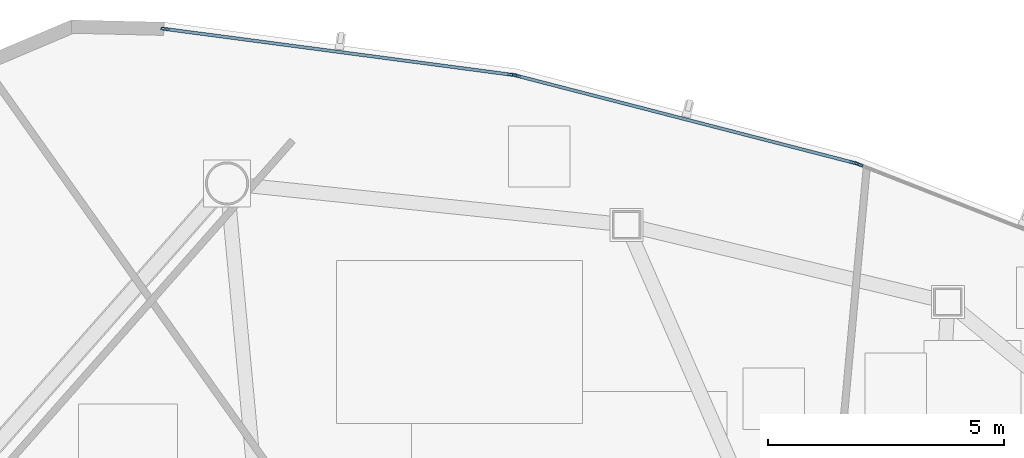
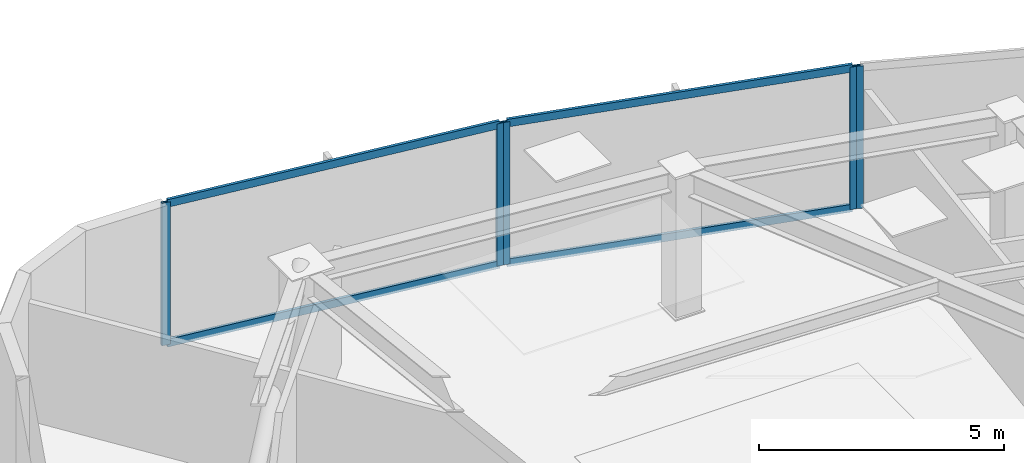
# One storey, part 9 of 18: 9 members, 3 elements without a shape of their own.
"""IFC4 building model written with IfcOpenShell, lengths in metres."""

from ifc_helpers import new_model, si_unit, direction, frame, origin, origin_2d, place, context, subcontext, project, spatial, hollow_rectangle, extrude, source, transform, mapped, material, layer, layer_set, material_profile, profile_set, type_object, type_shapes, element, aggregate, save


model = new_model("IFC4")

# Units and contexts
model_context = context("Model", 3, precision=1e-05, world=origin(), true_north=direction((0.0, 1.0)))
body_context = subcontext(model_context, "Body", "Model", "MODEL_VIEW")
ifc_project = project(units=[si_unit("LENGTHUNIT", "METRE"), si_unit("AREAUNIT", "SQUARE_METRE"), si_unit("VOLUMEUNIT", "CUBIC_METRE"), si_unit("PLANEANGLEUNIT", "RADIAN"), si_unit("MASSUNIT", "GRAM", prefix="KILO")], contexts=[model_context])

# Site, building, storey
site_placement = place(None, origin())
site = spatial("IfcSite", under=ifc_project, at=site_placement, CompositionType="ELEMENT")
building_placement = place(site_placement, origin())
building = spatial("IfcBuilding", under=site, at=building_placement, Name="Tavelor Broadcast Tower", CompositionType="ELEMENT")
storey_placement = place(building_placement, frame((0.0, 0.0, 181.050048828125)))
storey = spatial("IfcBuildingStorey", under=building, at=storey_placement, Name="L43", CompositionType="ELEMENT", Elevation=181.050048828125)

# Curtain wall, member
ifc_material = material(Name="Architectural Anodized Aluminium", Category="aluminium")
ifc_layer = layer(ifc_material, 0.18994140625)
ifc_layer_set = layer_set([ifc_layer], Name="Architectural Anodized Aluminium")
curtain_wall_type = type_object("IfcCurtainWallType", Name="Tower Mid-Zone Acoustic Curtain Wall CW03", PredefinedType="NOTDEFINED", material=ifc_layer_set)
curtain_wall_1_placement = place(storey_placement, origin())
curtain_wall_1 = element("IfcCurtainWall", 1, at=curtain_wall_1_placement, inside=storey, type_object=curtain_wall_type, Name="L43 Curtain Wall CW03 Run 466", PredefinedType="NOTDEFINED")
ifc_material_profile_1 = material_profile(ifc_material, hollow_rectangle(XDim=0.068115234375, YDim=0.18994140625, WallThickness=0.02197265625, at=origin_2d()), Name="RHS 68x190x22")
ifc_profile_set_1 = profile_set([ifc_material_profile_1], Name="Architectural Anodized Aluminium")
member_type_1 = type_object("IfcMemberType", Name="CW03 Extruded Aluminium Mullion 68x190", PredefinedType="MULLION", material=ifc_profile_set_1)
shared_shape_1 = source(origin(), body_context, "Body", "SweptSolid", [
    extrude(hollow_rectangle(XDim=0.068115234375, YDim=0.18994140625, WallThickness=0.02197265625, at=origin_2d()), origin(), (0.0, 0.0, 1.0), 3.550048828125),
])
type_shapes(member_type_1, [shared_shape_1])
member_1_placement = place(storey_placement, frame((55.387451171875, 66.4853515625, 0.0), z_axis=(0.0, 0.0, 1.0), x_axis=(-0.365276888291, -0.930898917649, 0.0)))
member_1 = element("IfcMember", 2, at=member_1_placement, type_object=member_type_1, Name="CW03 mullion 2", PredefinedType="MULLION", context=body_context, shape_type="MappedRepresentation", body=[
    mapped(shared_shape_1, transform((0.0, 0.0, 0.0), scale=1.0)),
])
aggregate(curtain_wall_1, [member_1])

# Curtain wall, members
curtain_wall_2_placement = place(storey_placement, origin())
curtain_wall_2 = element("IfcCurtainWall", 3, at=curtain_wall_2_placement, inside=storey, type_object=curtain_wall_type, Name="L43 Curtain Wall CW03 Run 467", PredefinedType="NOTDEFINED")
member_2_placement = place(storey_placement, frame((55.29443359375, 66.515380859375, 0.0), z_axis=(0.0, 0.0, 1.0), x_axis=(-0.249949395084, -0.968258901274, 0.0)))
member_2 = element("IfcMember", 4, at=member_2_placement, type_object=member_type_1, Name="CW03 mullion 1", PredefinedType="MULLION", context=body_context, shape_type="MappedRepresentation", body=[
    mapped(shared_shape_1, transform((0.0, 0.0, 0.0), scale=1.0)),
])
member_3_placement = place(storey_placement, frame((48.139404296875, 68.362548828125, 0.0), z_axis=(0.0, 0.0, 1.0), x_axis=(-0.249949395084, -0.968258901274, 0.0)))
member_3 = element("IfcMember", 5, at=member_3_placement, type_object=member_type_1, Name="CW03 mullion 2", PredefinedType="MULLION", context=body_context, shape_type="MappedRepresentation", body=[
    mapped(shared_shape_1, transform((0.0, 0.0, 0.0), scale=1.0)),
])

curtain_wall_3_placement = place(storey_placement, origin())
curtain_wall_3 = element("IfcCurtainWall", 6, at=curtain_wall_3_placement, inside=storey, type_object=curtain_wall_type, Name="L43 Curtain Wall CW03 Run 468", PredefinedType="NOTDEFINED")
member_4_placement = place(storey_placement, frame((48.04345703125, 68.381103515625, 0.0), z_axis=(0.0, 0.0, 1.0), x_axis=(-0.130930428828, -0.991391558773, 0.0)))
member_4 = element("IfcMember", 7, at=member_4_placement, type_object=member_type_1, Name="CW03 mullion 1", PredefinedType="MULLION", context=body_context, shape_type="MappedRepresentation", body=[
    mapped(shared_shape_1, transform((0.0, 0.0, 0.0), scale=1.0)),
])
member_5_placement = place(storey_placement, frame((40.70166015625, 69.350830078125, 0.0), z_axis=(0.0, 0.0, 1.0), x_axis=(-0.130930428828, -0.991391558773, 0.0)))
member_5 = element("IfcMember", 8, at=member_5_placement, type_object=member_type_1, Name="CW03 mullion 2", PredefinedType="MULLION", context=body_context, shape_type="MappedRepresentation", body=[
    mapped(shared_shape_1, transform((0.0, 0.0, 0.0), scale=1.0)),
])

# Member
ifc_material_profile_2 = material_profile(ifc_material, hollow_rectangle(XDim=0.068115234375, YDim=0.18994140625, WallThickness=0.02197265625, at=origin_2d()), Name="RHS 68x190x22")
ifc_profile_set_2 = profile_set([ifc_material_profile_2], Name="Architectural Anodized Aluminium")
member_type_2 = type_object("IfcMemberType", Name="CW03 Extruded Aluminium Transom 68x190", PredefinedType="USERDEFINED", material=ifc_profile_set_2)
shared_shape_2 = source(origin(), body_context, "Body", "SweptSolid", [
    extrude(hollow_rectangle(XDim=0.068115234375, YDim=0.18994140625, WallThickness=0.02197265625, at=origin_2d()), origin(), (0.0, 0.0, 1.0), 7.321533203125),
])
member_6_placement = place(storey_placement, frame((55.261474609375, 66.52392578125, 0.033935546875), z_axis=(-0.968256499674, 0.249958698266, 0.0), x_axis=(-0.249958698266, -0.968256499674, 0.0)))
member_6 = element("IfcMember", 9, at=member_6_placement, type_object=member_type_2, Name="CW03 transom 1.1", ObjectType="TRANSOM", PredefinedType="USERDEFINED", context=body_context, shape_type="MappedRepresentation", body=[
    mapped(shared_shape_2, transform((0.0, 0.0, 0.0), scale=1.0)),
])

member_7_placement = place(storey_placement, frame((55.261474609375, 66.52392578125, 3.515869140625), z_axis=(-0.968256499674, 0.249958698266, 0.0), x_axis=(-0.249958698266, -0.968256499674, 0.0)))
member_7 = element("IfcMember", 10, at=member_7_placement, type_object=member_type_2, Name="CW03 transom 1.2", ObjectType="TRANSOM", PredefinedType="USERDEFINED", context=body_context, shape_type="MappedRepresentation", body=[
    mapped(shared_shape_2, transform((0.0, 0.0, 0.0), scale=1.0)),
])

aggregate(curtain_wall_2, [member_2, member_3, member_6, member_7])

shared_shape_3 = source(origin(), body_context, "Body", "SweptSolid", [
    extrude(hollow_rectangle(XDim=0.068115234375, YDim=0.18994140625, WallThickness=0.02197265625, at=origin_2d()), origin(), (0.0, 0.0, 1.0), 7.337646484375),
])
type_shapes(member_type_2, [shared_shape_2, shared_shape_3])
member_8_placement = place(storey_placement, frame((48.009765625, 68.385498046875, 0.033935546875), z_axis=(-0.991391895405, 0.130927879864, 0.0), x_axis=(-0.130927879864, -0.991391895405, 0.0)))
member_8 = element("IfcMember", 11, at=member_8_placement, type_object=member_type_2, Name="CW03 transom 1.1", ObjectType="TRANSOM", PredefinedType="USERDEFINED", context=body_context, shape_type="MappedRepresentation", body=[
    mapped(shared_shape_3, transform((0.0, 0.0, 0.0), scale=1.0)),
])

member_9_placement = place(storey_placement, frame((48.009765625, 68.385498046875, 3.515869140625), z_axis=(-0.991391895405, 0.130927879864, 0.0), x_axis=(-0.130927879864, -0.991391895405, 0.0)))
member_9 = element("IfcMember", 12, at=member_9_placement, type_object=member_type_2, Name="CW03 transom 1.2", ObjectType="TRANSOM", PredefinedType="USERDEFINED", context=body_context, shape_type="MappedRepresentation", body=[
    mapped(shared_shape_3, transform((0.0, 0.0, 0.0), scale=1.0)),
])

aggregate(curtain_wall_3, [member_4, member_5, member_8, member_9])

save(model, "model.ifc")
